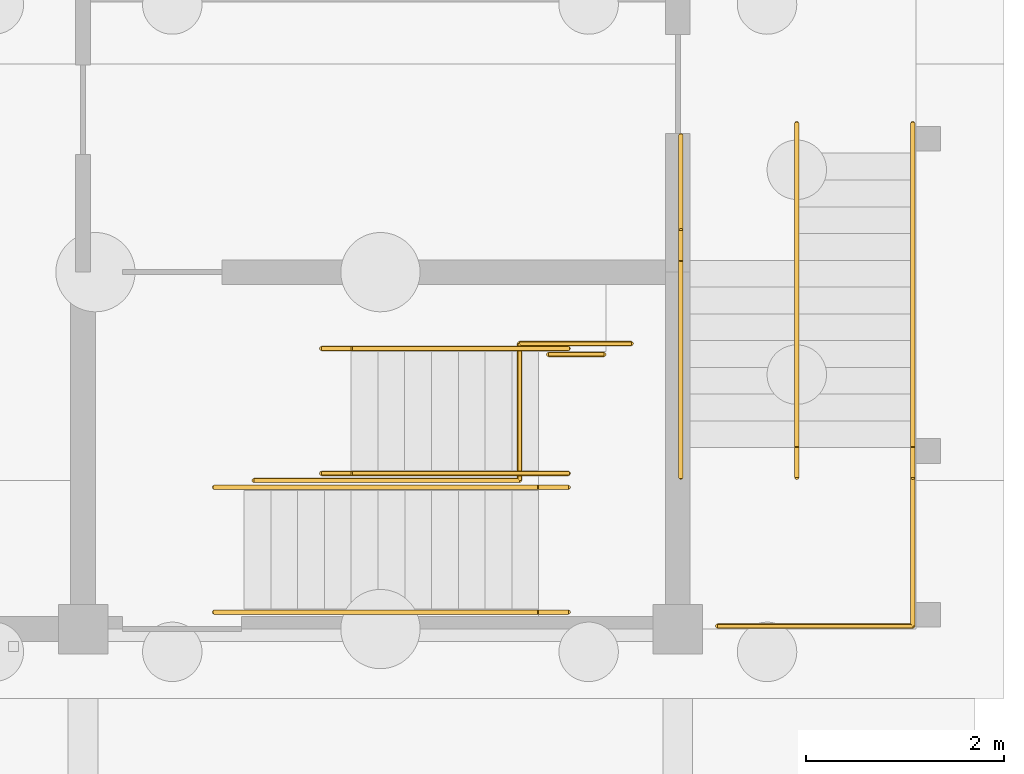
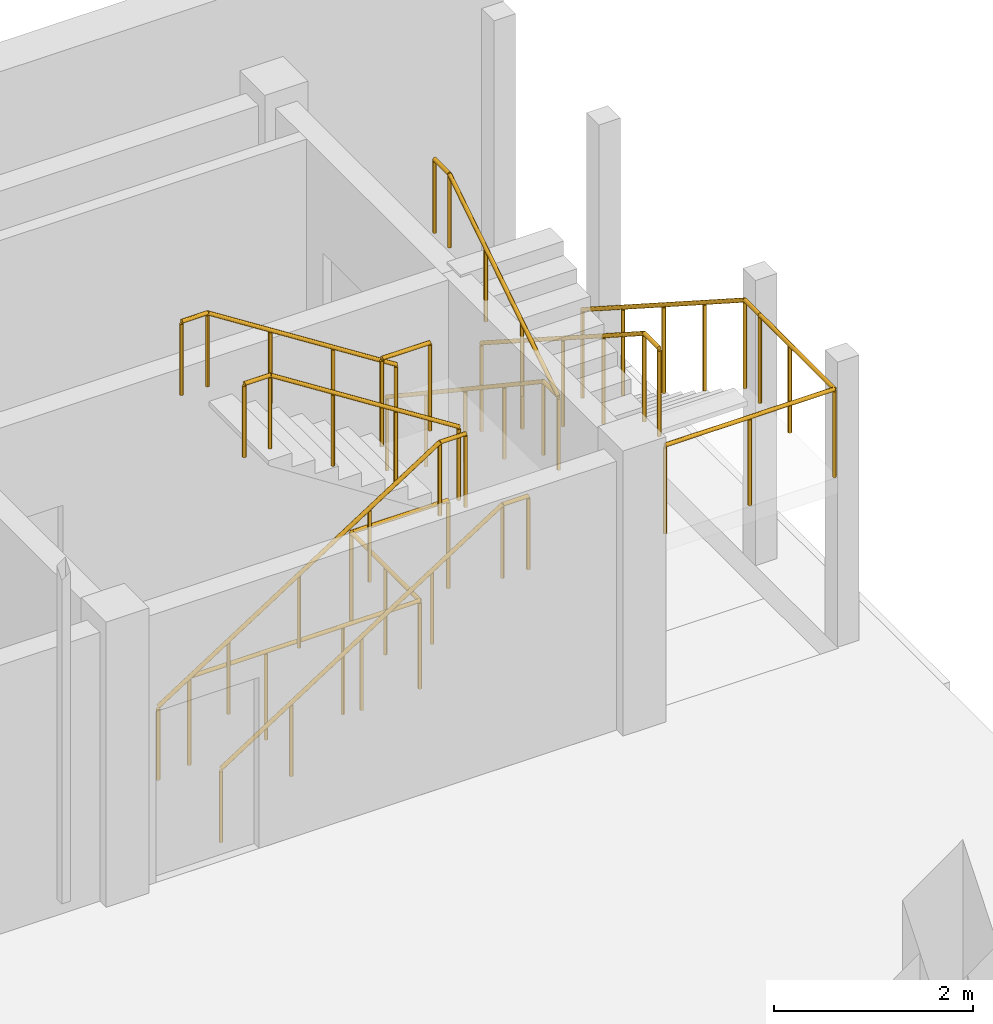
# One storey, part 36 of 37: 11 railings.
"""IFC4 building model written with IfcOpenShell, lengths in metres."""

from ifc_helpers import new_model, si_unit, direction, frame, origin, origin_2d, place, context, subcontext, project, spatial, circle, extrude, material, type_object, element, save


model = new_model("IFC4")

# Units and contexts
model_context = context("Model", 3, precision=1e-05, world=origin(), true_north=direction((0.0, 1.0)))
body_context = subcontext(model_context, "Body", "Model", "MODEL_VIEW")
ifc_project = project(units=[si_unit("LENGTHUNIT", "METRE"), si_unit("AREAUNIT", "SQUARE_METRE"), si_unit("VOLUMEUNIT", "CUBIC_METRE"), si_unit("PLANEANGLEUNIT", "RADIAN"), si_unit("MASSUNIT", "GRAM", prefix="KILO")], contexts=[model_context])

# Site, building, storey
site_placement = place(None, origin())
site = spatial("IfcSite", under=ifc_project, at=site_placement, CompositionType="ELEMENT")
building_placement = place(site_placement, origin())
building = spatial("IfcBuilding", under=site, at=building_placement, Name="Laocheng Heights Fire and Rescue Headquarters", CompositionType="ELEMENT")
storey_placement = place(building_placement, origin())
storey = spatial("IfcBuildingStorey", under=building, at=storey_placement, Name="L00", CompositionType="ELEMENT", Elevation=0.0)

# Railings
ifc_material_1 = material(Name="Steel Q355B", Category="steel")
railing_type_1 = type_object("IfcRailingType", Name="STAIR GUARD 1100", PredefinedType="GUARDRAIL", material=ifc_material_1)
railing_1_placement = place(storey_placement, frame((125.530029296875, 30.8798828125, 0.0)))
element("IfcRailing", 1, at=railing_1_placement, inside=storey, type_object=railing_type_1, Name="Stair T1 guard F1 under the half landing", PredefinedType="GUARDRAIL", context=body_context, shape_type="SweptSolid", body=[
    extrude(circle(Radius=0.02392578125, at=origin_2d()), frame((0.0, 0.0, 1.076171875), z_axis=(-1.0, 0.0, 0.0), x_axis=(0.0, -1.0, 0.0)), (0.0, 0.0, 1.0), 1.126953125),
    extrude(circle(Radius=0.02392578125, at=origin_2d()), frame((-1.126953125, 0.0, 1.076171875), z_axis=(0.0, -1.0, 0.0), x_axis=(1.0, 0.0, 0.0)), (0.0, 0.0, 1.0), 1.3798828125),
    extrude(circle(Radius=0.02392578125, at=origin_2d()), frame((-1.126953125, -1.3798828125, 1.076171875), z_axis=(-1.0, 0.0, 0.0), x_axis=(0.0, -1.0, 0.0)), (0.0, 0.0, 1.0), 2.677978515625),
    extrude(circle(Radius=0.02099609375, at=origin_2d()), origin(), (0.0, 0.0, 1.0), 1.052001953125),
    extrude(circle(Radius=0.02099609375, at=origin_2d()), frame((-1.126953125, 0.0, 0.0)), (0.0, 0.0, 1.0), 1.052001953125),
    extrude(circle(Radius=0.02099609375, at=origin_2d()), frame((-1.126953125, -0.68994140625, 0.0)), (0.0, 0.0, 1.0), 1.052001953125),
    extrude(circle(Radius=0.02099609375, at=origin_2d()), frame((-1.126953125, -1.3798828125, 0.0)), (0.0, 0.0, 1.0), 1.052001953125),
    extrude(circle(Radius=0.02099609375, at=origin_2d()), frame((-2.01953125, -1.3798828125, 0.0)), (0.0, 0.0, 1.0), 1.052001953125),
    extrude(circle(Radius=0.02099609375, at=origin_2d()), frame((-2.912353515625, -1.3798828125, 0.0)), (0.0, 0.0, 1.0), 1.052001953125),
    extrude(circle(Radius=0.02099609375, at=origin_2d()), frame((-3.804931640625, -1.3798828125, 0.0)), (0.0, 0.0, 1.0), 1.052001953125),
])
railing_2_placement = place(storey_placement, frame((125.2548828125, 30.77001953125, 2.10009765625)))
element("IfcRailing", 2, at=railing_2_placement, inside=storey, type_object=railing_type_1, Name="Stair T1 guard F1 half landing", PredefinedType="GUARDRAIL", context=body_context, shape_type="SweptSolid", body=[
    extrude(circle(Radius=0.02392578125, at=origin_2d()), frame((0.0, 0.0, 1.076171875), z_axis=(-1.0, 0.0, 0.0), x_axis=(0.0, -1.0, 0.0)), (0.0, 0.0, 1.0), 0.559814453125),
    extrude(circle(Radius=0.02099609375, at=origin_2d()), origin(), (0.0, 0.0, 1.0), 1.052001953125),
    extrude(circle(Radius=0.02099609375, at=origin_2d()), frame((-0.559814453125, 0.0, 0.0)), (0.0, 0.0, 1.0), 1.052001953125),
])
for number, where, name in (
    (3, (128.3701171875, 33.10009765625, 0.0), "Stair T2 guard F1 1"),
    (4, (127.199951171875, 33.10009765625, 0.0), "Stair T2 guard F1 2"),
):
    element("IfcRailing", number, at=place(storey_placement, frame(where)), inside=storey, type_object=railing_type_1, Name=name, PredefinedType="GUARDRAIL", context=body_context, shape_type="SweptSolid", body=[
        extrude(circle(Radius=0.02392578125, at=origin_2d()), frame((0.0, 0.0, 1.076171875), z_axis=(0.0, -0.841419242076, 0.540382881913), x_axis=(1.0, 0.0, 0.0)), (0.0, 0.0, 1.0), 3.88623046875),
        extrude(circle(Radius=0.02392578125, at=origin_2d()), frame((0.0, -3.27001953125, 3.17626953125), z_axis=(0.0, -1.0, 0.0), x_axis=(1.0, 0.0, 0.0)), (0.0, 0.0, 1.0), 0.300048828125),
        extrude(circle(Radius=0.02099609375, at=origin_2d()), origin(), (0.0, 0.0, 1.0), 1.052001953125),
        extrude(circle(Radius=0.02099609375, at=origin_2d()), frame((0.0, -0.8173828125, 0.52490234375)), (0.0, 0.0, 1.0), 1.052001953125),
        extrude(circle(Radius=0.02099609375, at=origin_2d()), frame((0.0, -1.635009765625, 1.050048828125)), (0.0, 0.0, 1.0), 1.052001953125),
        extrude(circle(Radius=0.02099609375, at=origin_2d()), frame((0.0, -2.45263671875, 1.5751953125)), (0.0, 0.0, 1.0), 1.052001953125),
        extrude(circle(Radius=0.02099609375, at=origin_2d()), frame((0.0, -3.27001953125, 2.10009765625)), (0.0, 0.0, 1.0), 1.052001953125),
        extrude(circle(Radius=0.02099609375, at=origin_2d()), frame((0.0, -3.570068359375, 2.10009765625)), (0.0, 0.0, 1.0), 1.052001953125),
    ])
railing_3_placement = place(storey_placement, frame((128.3701171875, 29.830078125, 2.10009765625)))
element("IfcRailing", 5, at=railing_3_placement, inside=storey, type_object=railing_type_1, Name="Stair T2 guard F1 half landing", PredefinedType="GUARDRAIL", context=body_context, shape_type="SweptSolid", body=[
    extrude(circle(Radius=0.02392578125, at=origin_2d()), frame((0.0, 0.0, 1.076171875), z_axis=(0.0, -1.0, 0.0), x_axis=(1.0, 0.0, 0.0)), (0.0, 0.0, 1.0), 1.800048828125),
    extrude(circle(Radius=0.02392578125, at=origin_2d()), frame((0.0, -1.800048828125, 1.076171875), z_axis=(-1.0, 0.0, 0.0), x_axis=(0.0, -1.0, 0.0)), (0.0, 0.0, 1.0), 1.97021484375),
    extrude(circle(Radius=0.02099609375, at=origin_2d()), origin(), (0.0, 0.0, 1.0), 1.052001953125),
    extrude(circle(Radius=0.02099609375, at=origin_2d()), frame((0.0, -0.89990234375, 0.0)), (0.0, 0.0, 1.0), 1.052001953125),
    extrude(circle(Radius=0.02099609375, at=origin_2d()), frame((0.0, -1.800048828125, 0.0)), (0.0, 0.0, 1.0), 1.052001953125),
    extrude(circle(Radius=0.02099609375, at=origin_2d()), frame((-0.985107421875, -1.800048828125, 0.0)), (0.0, 0.0, 1.0), 1.052001953125),
    extrude(circle(Radius=0.02099609375, at=origin_2d()), frame((-1.97021484375, -1.800048828125, 0.0)), (0.0, 0.0, 1.0), 1.052001953125),
])
ifc_material_2 = material(Name="Steel Q355B", Category="steel")
railing_type_2 = type_object("IfcRailingType", Name="STAIR HANDRAIL 920", PredefinedType="HANDRAIL", material=ifc_material_2)
for number, where, name in (
    (6, (121.324951171875, 28.169921875, 0.0), "Stair T1 handrail F1 1"),
    (7, (121.324951171875, 29.429931640625, 0.0), "Stair T1 handrail F1 2"),
):
    element("IfcRailing", number, at=place(storey_placement, frame(where)), inside=storey, type_object=railing_type_2, Name=name, PredefinedType="HANDRAIL", context=body_context, shape_type="SweptSolid", body=[
        extrude(circle(Radius=0.02392578125, at=origin_2d()), frame((0.0, 0.0, 0.89599609375), z_axis=(0.841419242076, 0.0, 0.540382881913), x_axis=(0.0, 1.0, 0.0)), (0.0, 0.0, 1.0), 3.88623046875),
        extrude(circle(Radius=0.02392578125, at=origin_2d()), frame((3.27001953125, 0.0, 2.99609375), z_axis=(1.0, 0.0, 0.0), x_axis=(0.0, 1.0, 0.0)), (0.0, 0.0, 1.0), 0.300048828125),
        extrude(circle(Radius=0.02099609375, at=origin_2d()), origin(), (0.0, 0.0, 1.0), 0.871826171875),
        extrude(circle(Radius=0.02099609375, at=origin_2d()), frame((0.8173828125, 0.0, 0.52490234375)), (0.0, 0.0, 1.0), 0.871826171875),
        extrude(circle(Radius=0.02099609375, at=origin_2d()), frame((1.635009765625, 0.0, 1.050048828125)), (0.0, 0.0, 1.0), 0.871826171875),
        extrude(circle(Radius=0.02099609375, at=origin_2d()), frame((2.45263671875, 0.0, 1.5751953125)), (0.0, 0.0, 1.0), 0.871826171875),
        extrude(circle(Radius=0.02099609375, at=origin_2d()), frame((3.27001953125, 0.0, 2.10009765625)), (0.0, 0.0, 1.0), 0.871826171875),
        extrude(circle(Radius=0.02099609375, at=origin_2d()), frame((3.570068359375, 0.0, 2.10009765625)), (0.0, 0.0, 1.0), 0.871826171875),
    ])
for number, where, name in (
    (8, (124.89501953125, 29.570068359375, 2.10009765625), "Stair T1 handrail F1 3"),
    (9, (124.89501953125, 30.830078125, 2.10009765625), "Stair T1 handrail F1 4"),
):
    element("IfcRailing", number, at=place(storey_placement, frame(where)), inside=storey, type_object=railing_type_2, Name=name, PredefinedType="HANDRAIL", context=body_context, shape_type="SweptSolid", body=[
        extrude(circle(Radius=0.02392578125, at=origin_2d()), frame((0.0, 0.0, 0.89599609375), z_axis=(-0.842561281479, 0.0, 0.538600489186), x_axis=(0.0, -1.0, 0.0)), (0.0, 0.0, 1.0), 2.59912109375),
        extrude(circle(Radius=0.02392578125, at=origin_2d()), frame((-2.18994140625, 0.0, 2.2958984375), z_axis=(-1.0, 0.0, 0.0), x_axis=(0.0, -1.0, 0.0)), (0.0, 0.0, 1.0), 0.300048828125),
        extrude(circle(Radius=0.02099609375, at=origin_2d()), origin(), (0.0, 0.0, 1.0), 0.871826171875),
        extrude(circle(Radius=0.02099609375, at=origin_2d()), frame((-0.72998046875, 0.0, 0.466552734375)), (0.0, 0.0, 1.0), 0.871826171875),
        extrude(circle(Radius=0.02099609375, at=origin_2d()), frame((-1.4599609375, 0.0, 0.933349609375)), (0.0, 0.0, 1.0), 0.871826171875),
        extrude(circle(Radius=0.02099609375, at=origin_2d()), frame((-2.18994140625, 0.0, 1.39990234375)), (0.0, 0.0, 1.0), 0.871826171875),
        extrude(circle(Radius=0.02099609375, at=origin_2d()), frame((-2.489990234375, 0.0, 1.39990234375)), (0.0, 0.0, 1.0), 0.871826171875),
    ])
railing_4_placement = place(storey_placement, frame((126.030029296875, 32.97998046875, 0.0)))
element("IfcRailing", 10, at=railing_4_placement, inside=storey, type_object=railing_type_2, Name="Stair T2 handrail F1 3", PredefinedType="HANDRAIL", context=body_context, shape_type="SweptSolid", body=[
    extrude(circle(Radius=0.02392578125, at=origin_2d()), frame((0.0, 0.0, 0.89599609375), z_axis=(0.0, -0.832030451194, 0.554729959787), x_axis=(1.0, 0.0, 0.0)), (0.0, 0.0, 1.0), 3.785888671875),
    extrude(circle(Radius=0.02392578125, at=origin_2d()), frame((0.0, -3.14990234375, 2.99609375), z_axis=(0.0, -1.0, 0.0), x_axis=(1.0, 0.0, 0.0)), (0.0, 0.0, 1.0), 0.300048828125),
    extrude(circle(Radius=0.02099609375, at=origin_2d()), origin(), (0.0, 0.0, 1.0), 0.871826171875),
    extrude(circle(Radius=0.02099609375, at=origin_2d()), frame((0.0, -0.78759765625, 0.52490234375)), (0.0, 0.0, 1.0), 0.871826171875),
    extrude(circle(Radius=0.02099609375, at=origin_2d()), frame((0.0, -1.574951171875, 1.050048828125)), (0.0, 0.0, 1.0), 0.871826171875),
    extrude(circle(Radius=0.02099609375, at=origin_2d()), frame((0.0, -2.3623046875, 1.5751953125)), (0.0, 0.0, 1.0), 0.871826171875),
    extrude(circle(Radius=0.02099609375, at=origin_2d()), frame((0.0, -3.14990234375, 2.10009765625)), (0.0, 0.0, 1.0), 0.871826171875),
    extrude(circle(Radius=0.02099609375, at=origin_2d()), frame((0.0, -3.449951171875, 2.10009765625)), (0.0, 0.0, 1.0), 0.871826171875),
])
railing_5_placement = place(storey_placement, frame((126.030029296875, 29.530029296875, 2.10009765625)))
element("IfcRailing", 11, at=railing_5_placement, inside=storey, type_object=railing_type_2, Name="Stair T2 handrail F1 4", PredefinedType="HANDRAIL", context=body_context, shape_type="SweptSolid", body=[
    extrude(circle(Radius=0.02392578125, at=origin_2d()), frame((0.0, 0.0, 0.89599609375), z_axis=(0.0, 0.842561281479, 0.538600489186), x_axis=(-1.0, 0.0, 0.0)), (0.0, 0.0, 1.0), 2.59912109375),
    extrude(circle(Radius=0.02392578125, at=origin_2d()), frame((0.0, 2.18994140625, 2.2958984375), z_axis=(0.0, 1.0, 0.0), x_axis=(-1.0, 0.0, 0.0)), (0.0, 0.0, 1.0), 0.300048828125),
    extrude(circle(Radius=0.02099609375, at=origin_2d()), origin(), (0.0, 0.0, 1.0), 0.871826171875),
    extrude(circle(Radius=0.02099609375, at=origin_2d()), frame((0.0, 0.72998046875, 0.466552734375)), (0.0, 0.0, 1.0), 0.871826171875),
    extrude(circle(Radius=0.02099609375, at=origin_2d()), frame((0.0, 1.4599609375, 0.933349609375)), (0.0, 0.0, 1.0), 0.871826171875),
    extrude(circle(Radius=0.02099609375, at=origin_2d()), frame((0.0, 2.18994140625, 1.39990234375)), (0.0, 0.0, 1.0), 0.871826171875),
    extrude(circle(Radius=0.02099609375, at=origin_2d()), frame((0.0, 2.489990234375, 1.39990234375)), (0.0, 0.0, 1.0), 0.871826171875),
])

save(model, "model.ifc")
